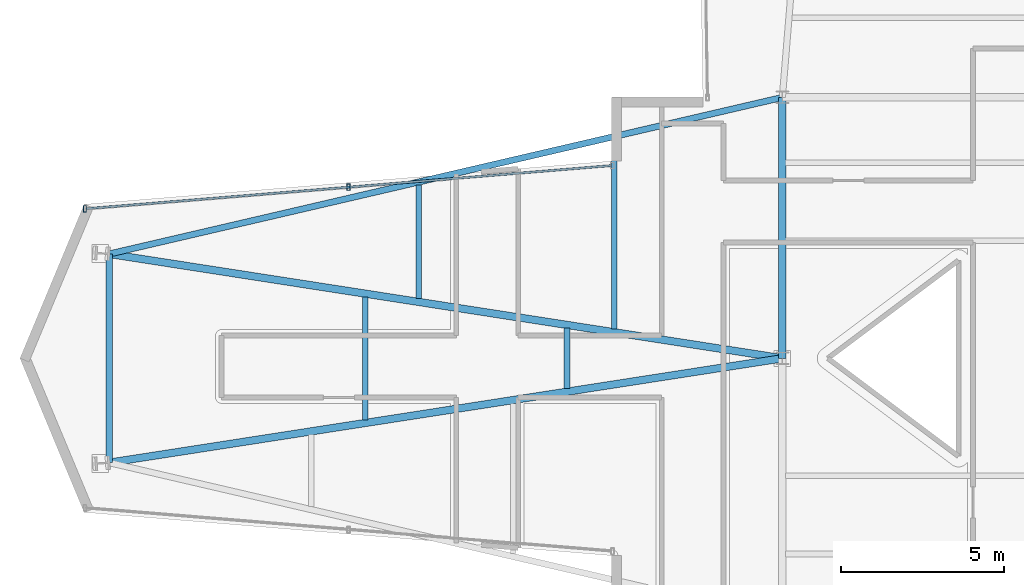
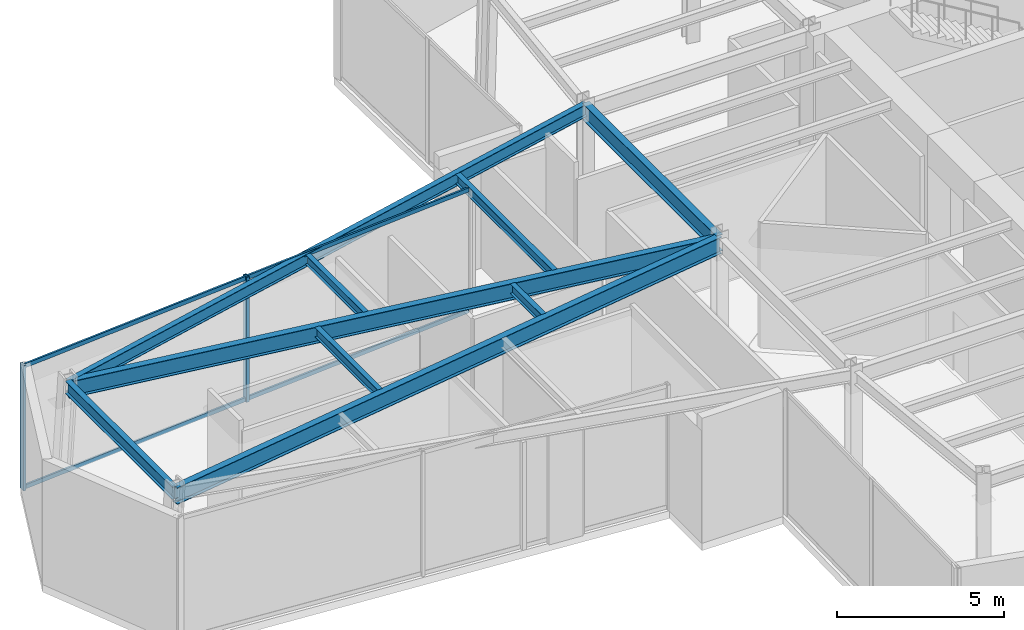
# One storey, part 4 of 13: 9 beams, 4 members, 1 element without a shape of its own.
"""IFC4 building model written with IfcOpenShell, lengths in metres."""

from ifc_helpers import new_model, si_unit, direction, frame, origin, origin_2d, place, context, subcontext, project, spatial, hollow_rectangle, i_section, extrude, material, layer, layer_set, material_profile, profile_set, type_object, element, aggregate, save


model = new_model("IFC4")

# Units and contexts
model_context = context("Model", 3, precision=1e-05, world=origin(), true_north=direction((0.0, 1.0)))
body_context = subcontext(model_context, "Body", "Model", "MODEL_VIEW")
ifc_project = project(units=[si_unit("LENGTHUNIT", "METRE"), si_unit("AREAUNIT", "SQUARE_METRE"), si_unit("VOLUMEUNIT", "CUBIC_METRE"), si_unit("PLANEANGLEUNIT", "RADIAN"), si_unit("MASSUNIT", "GRAM", prefix="KILO")], contexts=[model_context])

# Site, building, storey
site_placement = place(None, origin())
site = spatial("IfcSite", under=ifc_project, at=site_placement, CompositionType="ELEMENT")
building_placement = place(site_placement, origin())
building = spatial("IfcBuilding", under=site, at=building_placement, Name="Veymaron Broadcast Tower", CompositionType="ELEMENT")
storey_placement = place(building_placement, frame((0.0, 0.0, 112.050048828125)))
storey = spatial("IfcBuildingStorey", under=building, at=storey_placement, Name="L25", CompositionType="ELEMENT", Elevation=112.050048828125)

# Beams
ifc_material_1 = material(Name="Structural steel ASTM A992 Gr 50", Category="steel")
ifc_material_profile_1 = material_profile(ifc_material_1, i_section(OverallWidth=0.22802734375, OverallDepth=0.60791015625, WebThickness=0.01123046875, FlangeThickness=0.017333984375, at=origin_2d()), Name="W610X113")
ifc_profile_set_1 = profile_set([ifc_material_profile_1], Name="Structural steel ASTM A992 Gr 50")
beam_type_1 = type_object("IfcBeamType", Name="BM-FG2", PredefinedType="BEAM", material=ifc_profile_set_1)
beam_1_placement = place(storey_placement, frame((31.199951171875, 24.0, 4.255859375), z_axis=(0.0, 1.0, 0.0), x_axis=(-1.0, 0.0, 0.0)))
element("IfcBeam", 1, at=beam_1_placement, inside=storey, type_object=beam_type_1, Name="L25 primary structural floor girder", PredefinedType="BEAM", context=body_context, shape_type="SweptSolid", body=[
    extrude(i_section(OverallWidth=0.22802734375, OverallDepth=0.60791015625, WebThickness=0.01123046875, FlangeThickness=0.017333984375, at=origin_2d()), origin(), (0.0, 0.0, 1.0), 8.0),
])
for number, where, z_axis, x_axis, name in (
    (2, (10.56005859375, 20.800048828125, 4.255859375), (0.988194140861, 0.15320685353, 0.0), (-0.15320685353, 0.988194140861, 0.0), "L25 primary structural floor girder"),
    (3, (10.56005859375, 27.199951171875, 4.255859375), (0.988194140861, -0.15320685353, 0.0), (0.15320685353, 0.988194140861, 0.0), "L25 primary structural floor girder"),
):
    element("IfcBeam", number, at=place(storey_placement, frame(where, z_axis=z_axis, x_axis=x_axis)), inside=storey, type_object=beam_type_1, Name=name, PredefinedType="BEAM", context=body_context, shape_type="SweptSolid", body=[
        extrude(i_section(OverallWidth=0.22802734375, OverallDepth=0.60791015625, WebThickness=0.01123046875, FlangeThickness=0.017333984375, at=origin_2d()), origin(), (0.0, 0.0, 1.0), 20.886474609375),
    ])
ifc_material_profile_2 = material_profile(ifc_material_1, i_section(OverallWidth=0.1708984375, OverallDepth=0.35498046875, WebThickness=0.007080078125, FlangeThickness=0.01171875, at=origin_2d()), Name="W360X51")
ifc_profile_set_2 = profile_set([ifc_material_profile_2], Name="Structural steel ASTM A992 Gr 50")
beam_type_2 = type_object("IfcBeamType", Name="BM-JS2", PredefinedType="JOIST", material=ifc_profile_set_2)
beam_2_placement = place(storey_placement, frame((18.4033203125, 22.115966796875, 4.382568359375), z_axis=(0.0, 1.0, 0.0), x_axis=(-1.0, 0.0, 0.0)))
element("IfcBeam", 4, at=beam_2_placement, inside=storey, type_object=beam_type_2, Name="L25 Arm-A secondary joist 1M", PredefinedType="JOIST", context=body_context, shape_type="SweptSolid", body=[
    extrude(i_section(OverallWidth=0.1708984375, OverallDepth=0.35498046875, WebThickness=0.007080078125, FlangeThickness=0.01171875, at=origin_2d()), origin(), (0.0, 0.0, 1.0), 3.76806640625),
])
beam_3_placement = place(storey_placement, frame((20.054443359375, 25.827880859375, 4.382568359375), z_axis=(0.0, 1.0, 0.0), x_axis=(-1.0, 0.0, 0.0)))
element("IfcBeam", 5, at=beam_3_placement, inside=storey, type_object=beam_type_2, Name="L25 Arm-A secondary joist 1N", PredefinedType="JOIST", context=body_context, shape_type="SweptSolid", body=[
    extrude(i_section(OverallWidth=0.1708984375, OverallDepth=0.35498046875, WebThickness=0.007080078125, FlangeThickness=0.01171875, at=origin_2d()), origin(), (0.0, 0.0, 1.0), 3.480224609375),
])
beam_4_placement = place(storey_placement, frame((24.59521484375, 23.075927734375, 4.382568359375), z_axis=(0.0, 1.0, 0.0), x_axis=(-1.0, 0.0, 0.0)))
element("IfcBeam", 6, at=beam_4_placement, inside=storey, type_object=beam_type_2, Name="L25 Arm-A secondary joist 2M", PredefinedType="JOIST", context=body_context, shape_type="SweptSolid", body=[
    extrude(i_section(OverallWidth=0.1708984375, OverallDepth=0.35498046875, WebThickness=0.007080078125, FlangeThickness=0.01171875, at=origin_2d()), origin(), (0.0, 0.0, 1.0), 1.84814453125),
])
beam_5_placement = place(storey_placement, frame((26.0400390625, 24.89990234375, 4.382568359375), z_axis=(0.0, 1.0, 0.0), x_axis=(-1.0, 0.0, 0.0)))
element("IfcBeam", 7, at=beam_5_placement, inside=storey, type_object=beam_type_2, Name="L25 Arm-A secondary joist 2N", PredefinedType="JOIST", context=body_context, shape_type="SweptSolid", body=[
    extrude(i_section(OverallWidth=0.1708984375, OverallDepth=0.35498046875, WebThickness=0.007080078125, FlangeThickness=0.01171875, at=origin_2d()), origin(), (0.0, 0.0, 1.0), 5.800048828125),
])
ifc_material_profile_3 = material_profile(ifc_material_1, i_section(OverallWidth=0.19091796875, OverallDepth=0.4599609375, WebThickness=0.010009765625, FlangeThickness=0.01611328125, at=origin_2d()), Name="W460X82")
ifc_profile_set_3 = profile_set([ifc_material_profile_3], Name="Structural steel ASTM A992 Gr 50")
beam_type_3 = type_object("IfcBeamType", Name="BM-SP1", PredefinedType="SPANDREL", material=ifc_profile_set_3)
beam_6_placement = place(storey_placement, frame((10.56005859375, 27.199951171875, 4.329833984375), z_axis=(0.974007258565, 0.226516799075, 0.0), x_axis=(-0.226516799075, 0.974007258565, 0.0)))
element("IfcBeam", 8, at=beam_6_placement, inside=storey, type_object=beam_type_3, Name="L25 primary structural floor girder", PredefinedType="SPANDREL", context=body_context, shape_type="SweptSolid", body=[
    extrude(i_section(OverallWidth=0.19091796875, OverallDepth=0.4599609375, WebThickness=0.010009765625, FlangeThickness=0.01611328125, at=origin_2d()), origin(), (0.0, 0.0, 1.0), 21.190673828125),
])
beam_7_placement = place(storey_placement, frame((10.56005859375, 20.800048828125, 4.329833984375), z_axis=(0.0, 1.0, 0.0), x_axis=(-1.0, 0.0, 0.0)))
element("IfcBeam", 9, at=beam_7_placement, inside=storey, type_object=beam_type_3, Name="L25 primary structural floor girder", PredefinedType="SPANDREL", context=body_context, shape_type="SweptSolid", body=[
    extrude(i_section(OverallWidth=0.19091796875, OverallDepth=0.4599609375, WebThickness=0.010009765625, FlangeThickness=0.01611328125, at=origin_2d()), origin(), (0.0, 0.0, 1.0), 6.39990234375),
])

# Curtain wall, members
ifc_material_2 = material(Name="Anodised aluminium AA 6063-T6 and laminated low-E dark glass", Category="aluminium")
ifc_layer = layer(ifc_material_2, 0.179931640625)
ifc_layer_set = layer_set([ifc_layer], Name="Anodised aluminium AA 6063-T6 and laminated low-E dark glass")
curtain_wall_type = type_object("IfcCurtainWallType", Name="CW-SYS-04", PredefinedType="NOTDEFINED", material=ifc_layer_set)
curtain_wall_placement = place(storey_placement, origin())
curtain_wall = element("IfcCurtainWall", 10, at=curtain_wall_placement, inside=storey, type_object=curtain_wall_type, Name="L25 dark-glass curtain wall CW-L25-E11-1", PredefinedType="NOTDEFINED")
ifc_material_3 = material(Name="Anodised aluminium AA 6063-T6", Category="aluminium")
ifc_material_profile_4 = material_profile(ifc_material_3, hollow_rectangle(XDim=0.10009765625, YDim=0.199951171875, WallThickness=0.010009765625, at=origin_2d()), Name="RHS200X100X10")
ifc_profile_set_4 = profile_set([ifc_material_profile_4], Name="Anodised aluminium AA 6063-T6")
member_type_1 = type_object("IfcMemberType", Name="CW-MUL-01", PredefinedType="MULLION", material=ifc_profile_set_4)
member_1_placement = place(storey_placement, frame((17.8994140625, 29.248046875, 0.0), z_axis=(0.0, 0.0, 1.0), x_axis=(1.0, 0.0, 0.0)))
member_1 = element("IfcMember", 11, at=member_1_placement, type_object=member_type_1, Name="CW-L25-E11-1 mullion 1", PredefinedType="MULLION", context=body_context, shape_type="SweptSolid", body=[
    extrude(hollow_rectangle(XDim=0.10009765625, YDim=0.199951171875, WallThickness=0.010009765625, at=origin_2d()), origin(), (0.0, 0.0, 1.0), 4.56005859375),
])
member_2_placement = place(storey_placement, frame((9.8115234375, 28.584228515625, 0.0), z_axis=(0.0, 0.0, 1.0), x_axis=(1.0, 0.0, 0.0)))
member_2 = element("IfcMember", 12, at=member_2_placement, type_object=member_type_1, Name="CW-L25-E11-1 mullion 2", PredefinedType="MULLION", context=body_context, shape_type="SweptSolid", body=[
    extrude(hollow_rectangle(XDim=0.10009765625, YDim=0.199951171875, WallThickness=0.010009765625, at=origin_2d()), origin(), (0.0, 0.0, 1.0), 4.56005859375),
])
ifc_material_profile_5 = material_profile(ifc_material_3, hollow_rectangle(XDim=0.06494140625, YDim=0.14990234375, WallThickness=0.00390625, at=origin_2d()), Name="AL150X65X4")
ifc_profile_set_5 = profile_set([ifc_material_profile_5], Name="Anodised aluminium AA 6063-T6")
member_type_2 = type_object("IfcMemberType", Name="CW-TRN-01", PredefinedType="USERDEFINED", material=ifc_profile_set_5)
member_3_placement = place(storey_placement, frame((25.937744140625, 29.90771484375, 0.070068359375), z_axis=(-0.996649455762, -0.081791578596, 0.0), x_axis=(0.081791578596, -0.996649455762, 0.0)))
member_3 = element("IfcMember", 13, at=member_3_placement, type_object=member_type_2, Name="CW-L25-E11-1 transom B", ObjectType="TRANSOM", PredefinedType="USERDEFINED", context=body_context, shape_type="SweptSolid", body=[
    extrude(hollow_rectangle(XDim=0.06494140625, YDim=0.14990234375, WallThickness=0.00390625, at=origin_2d()), origin(), (0.0, 0.0, 1.0), 16.13037109375),
])
member_4_placement = place(storey_placement, frame((25.937744140625, 29.90771484375, 4.489990234375), z_axis=(-0.996649455762, -0.081791578596, 0.0), x_axis=(0.081791578596, -0.996649455762, 0.0)))
member_4 = element("IfcMember", 14, at=member_4_placement, type_object=member_type_2, Name="CW-L25-E11-1 transom T", ObjectType="TRANSOM", PredefinedType="USERDEFINED", context=body_context, shape_type="SweptSolid", body=[
    extrude(hollow_rectangle(XDim=0.06494140625, YDim=0.14990234375, WallThickness=0.00390625, at=origin_2d()), origin(), (0.0, 0.0, 1.0), 16.13037109375),
])
aggregate(curtain_wall, [member_1, member_2, member_3, member_4])

save(model, "model.ifc")
